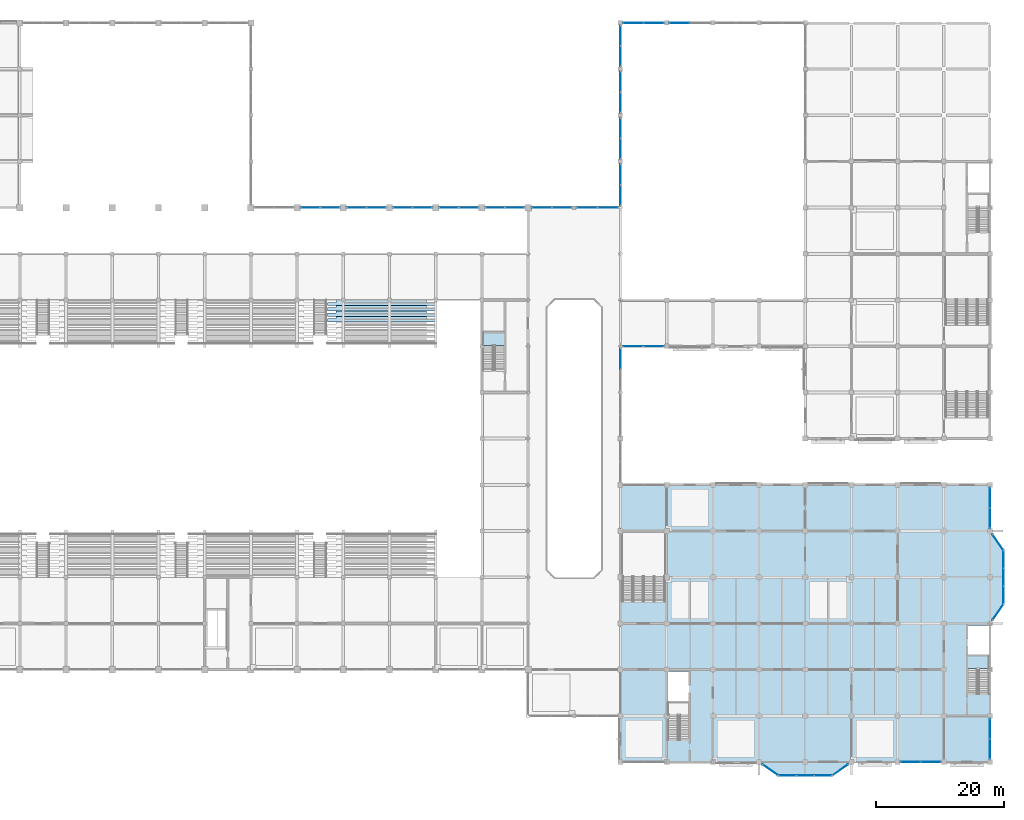
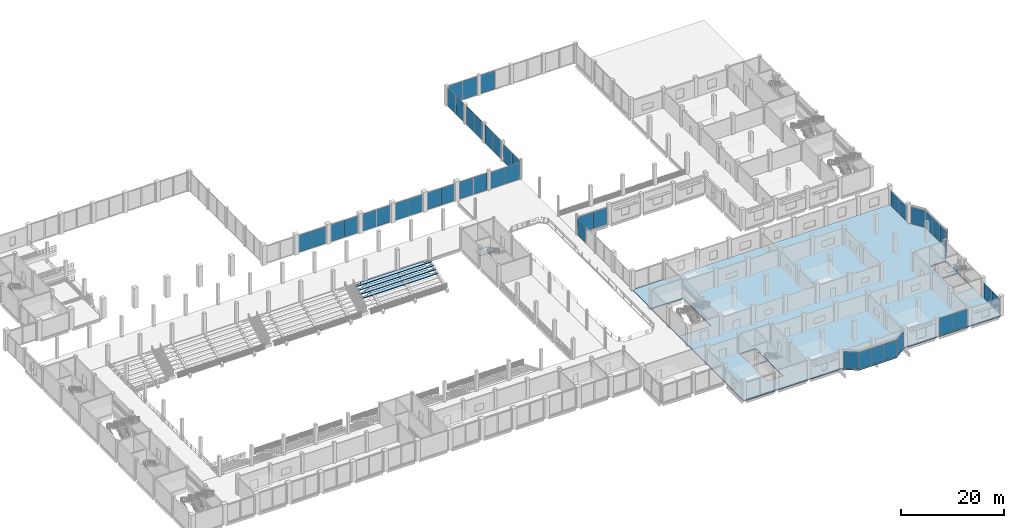
# One storey, part 58 of 99: 44 plates, 7 slabs, 26 elements without a shape of their own.
"""IFC4 building model written with IfcOpenShell, lengths in metres."""

import ifcopenshell
import ifcopenshell.guid

model = None  # the IFC model being written
_history = None  # IfcOwnerHistory: only IFC2X3 demands one
_inside = {}  # id of a spatial element -> (the spatial element, [elements in it])
_under = {}  # id of a project, library or spatial element -> (it, [spatial elements below it])
_declared = {}  # id of a project -> (the project, [libraries it declares])
_typed = {}  # id of a type object -> (the type object, [elements of that type])
_made_of = {}  # id of a material, layer set ... -> (it, [elements and type objects made of it])


def new_model(schema):
    """Start an empty IFC model of exactly this schema.

    Asked for "IFC4X3", IfcOpenShell would pick the latest addendum, in which some entities
    have other attributes; the version numbers below select the first issue.
    IFC2X3 requires an IfcOwnerHistory on every rooted entity: one is made here for all.
    """
    global model, _history
    if schema == "IFC4X3":
        model = ifcopenshell.file(schema_version=(4, 3, 0, 0))
    else:
        model = ifcopenshell.file(schema=schema)
    _inside.clear()
    _under.clear()
    _declared.clear()
    _typed.clear()
    _made_of.clear()
    _history = None
    if model.schema == "IFC2X3":
        org = make("IfcOrganization", Name="unknown")
        user = make(
            "IfcPersonAndOrganization",
            ThePerson=make("IfcPerson", FamilyName="unknown"),
            TheOrganization=org,
        )
        app = make(
            "IfcApplication",
            ApplicationDeveloper=org,
            Version="unknown",
            ApplicationFullName="unknown",
            ApplicationIdentifier="unknown",
        )
        _history = make(
            "IfcOwnerHistory",
            OwningUser=user,
            OwningApplication=app,
            ChangeAction="ADDED",
            CreationDate=0,
        )
    return model


def make(cls, **values):
    """One entity of the class cls with the attributes given. An attribute that is None is left unset."""
    return model.create_entity(
        cls, **{name: value for name, value in values.items() if value is not None}
    )


def rooted(cls, **values):
    """An entity with a GlobalId (a new one), such as an element, a storey or a relation."""
    return make(cls, GlobalId=ifcopenshell.guid.new(), OwnerHistory=_history, **values)


def si_unit(unit_type, name, prefix=None):
    """IfcSIUnit, for example si_unit("LENGTHUNIT", "METRE", prefix="MILLI")."""
    return make("IfcSIUnit", UnitType=unit_type, Prefix=prefix, Name=name)


def assignment(units):
    """IfcUnitAssignment: the units of a project."""
    return None if units is None else make("IfcUnitAssignment", Units=units)


def point(xyz):
    """IfcCartesianPoint."""
    return None if xyz is None else make("IfcCartesianPoint", Coordinates=xyz)


def direction(xyz):
    """IfcDirection."""
    return None if xyz is None else make("IfcDirection", DirectionRatios=xyz)


def frame(location, z_axis=None, x_axis=None):
    """IfcAxis2Placement3D, a coordinate frame: its origin and axes. An axis left out is left unset."""
    return make(
        "IfcAxis2Placement3D",
        Location=point(location),
        Axis=direction(z_axis),
        RefDirection=direction(x_axis),
    )


def frame_2d(location, x_axis=None):
    """IfcAxis2Placement2D, a coordinate frame in the plane: its origin and x axis."""
    return make(
        "IfcAxis2Placement2D", Location=point(location), RefDirection=direction(x_axis)
    )


def origin():
    """The frame at (0, 0, 0) with its axes left unset."""
    return frame((0.0, 0.0, 0.0))


def origin_2d():
    """The frame at (0, 0) in the plane with its x axis left unset."""
    return frame_2d((0.0, 0.0))


def place(relative_to, where):
    """IfcLocalPlacement: puts the frame where relative to a parent placement (None: the world)."""
    return make(
        "IfcLocalPlacement", PlacementRelTo=relative_to, RelativePlacement=where
    )


def context(
    kind, dimensions, precision=None, world=None, true_north=None, identifier=None
):
    """IfcGeometricRepresentationContext, for example the 3D "Model" context."""
    return make(
        "IfcGeometricRepresentationContext",
        ContextIdentifier=identifier,
        ContextType=kind,
        CoordinateSpaceDimension=dimensions,
        Precision=precision,
        WorldCoordinateSystem=world,
        TrueNorth=true_north,
    )


def subcontext(parent, identifier, kind, view, scale=None):
    """IfcGeometricRepresentationSubContext, for example "Body" below "Model"."""
    return make(
        "IfcGeometricRepresentationSubContext",
        ContextIdentifier=identifier,
        ContextType=kind,
        ParentContext=parent,
        TargetScale=scale,
        TargetView=view,
    )


def project(units=None, contexts=None):
    """IfcProject with its units and contexts."""
    return rooted(
        "IfcProject",
        Name="project",
        RepresentationContexts=contexts,
        UnitsInContext=assignment(units),
    )


def spatial(cls, under=None, at=None, **own):
    """A site, building, storey or space (cls), placed at a placement, below another one or the project."""
    s = rooted(cls, ObjectPlacement=at, **own)
    if under is not None:
        _under.setdefault(under.id(), (under, []))[1].append(s)
    return s


def polyline(points):
    """IfcPolyline through the points."""
    return make("IfcPolyline", Points=[point(p) for p in points])


def profile(cls, at=None, kind="AREA", **sizes):
    """A parametric profile (cls). Its sizes go by their IFC names, for example OverallWidth=200.0."""
    return make(cls, ProfileType=kind, Position=at, **sizes)


def rectangle(**sizes):
    """IfcRectangleProfileDef."""
    return profile("IfcRectangleProfileDef", **sizes)


def outline(outer, holes=None, kind="AREA"):
    """IfcArbitraryClosedProfileDef: a profile drawn as a closed curve; with holes, ...WithVoids."""
    if holes is None:
        return make("IfcArbitraryClosedProfileDef", ProfileType=kind, OuterCurve=outer)
    return make(
        "IfcArbitraryProfileDefWithVoids",
        ProfileType=kind,
        OuterCurve=outer,
        InnerCurves=holes,
    )


def extrude(swept, where, along, depth):
    """IfcExtrudedAreaSolid: the profile swept, set in the frame where, extruded along a direction by depth."""
    return make(
        "IfcExtrudedAreaSolid",
        SweptArea=swept,
        Position=where,
        ExtrudedDirection=direction(along),
        Depth=depth,
    )


def shape(context_of_items, identifier, shape_type, items):
    """IfcShapeRepresentation: the items that make up one representation, for example the "Body"."""
    return make(
        "IfcShapeRepresentation",
        ContextOfItems=context_of_items,
        RepresentationIdentifier=identifier,
        RepresentationType=shape_type,
        Items=items,
    )


def material(Name=None, Category=None):
    """IfcMaterial."""
    return make("IfcMaterial", Name=Name, Category=Category)


def layer(
    of_material, thickness, ventilated=None, Name=None, Category=None, Priority=None
):
    """IfcMaterialLayer: one layer of a wall or slab, of a material (None: an air gap)."""
    return make(
        "IfcMaterialLayer",
        Material=of_material,
        LayerThickness=thickness,
        IsVentilated=ventilated,
        Name=Name,
        Category=Category,
        Priority=Priority,
    )


def layer_set(layers, Name=None):
    """IfcMaterialLayerSet."""
    return make("IfcMaterialLayerSet", MaterialLayers=layers, LayerSetName=Name)


def made_of(thing, what):
    """Note that an element or type object is made of a material, layer set ...; save() writes the relation."""
    if what is not None:
        _made_of.setdefault(what.id(), (what, []))[1].append(thing)
    return thing


def type_object(cls, material=None, **own):
    """A type object (cls), such as IfcWallType, which elements share."""
    return made_of(rooted(cls, **own), material)


def element(
    cls,
    number,
    at=None,
    inside=None,
    cuts=None,
    type_object=None,
    material=None,
    context=None,
    identifier="Body",
    shape_type=None,
    held_by="IfcProductDefinitionShape",
    body=None,
    shapes=None,
    **own,
):
    """One element of the class cls, such as IfcWall. Its Tag is "e" and its number.

    at: its placement. inside: the storey or other place that contains it. cuts: it is an
    opening in that element (IfcRelVoidsElement). A single representation is given by context,
    identifier, shape_type and body (its items); several are given by shapes. held_by: the class
    of the entity that holds the representations. save() writes the other relations.
    """
    e = rooted(cls, Tag="e%d" % number, ObjectPlacement=at, **own)
    if body is not None:
        shapes = [shape(context, identifier, shape_type, body)]
    if shapes is not None:
        e.Representation = make(held_by, Representations=shapes)
    if inside is not None:
        _inside.setdefault(inside.id(), (inside, []))[1].append(e)
    if cuts is not None:
        rooted(
            "IfcRelVoidsElement", RelatingBuildingElement=cuts, RelatedOpeningElement=e
        )
    if type_object is not None:
        _typed.setdefault(type_object.id(), (type_object, []))[1].append(e)
    return made_of(e, material)


def aggregate(whole, parts):
    """IfcRelAggregates: a whole, such as a stair, and the parts it consists of."""
    return rooted("IfcRelAggregates", RelatingObject=whole, RelatedObjects=parts)


def save(model, path):
    """Write the relations noted so far, then the file.

    IfcRelAggregates (storeys below a building ...), IfcRelContainedInSpatialStructure (elements
    in a storey), IfcRelDefinesByType, IfcRelAssociatesMaterial and IfcRelDeclares: one each for
    every whole, place, type object, material and project.
    """
    for whole, parts in _under.values():
        aggregate(whole, parts)
    for where, things in _inside.values():
        rooted(
            "IfcRelContainedInSpatialStructure",
            RelatedElements=things,
            RelatingStructure=where,
        )
    for kind, things in _typed.values():
        rooted("IfcRelDefinesByType", RelatedObjects=things, RelatingType=kind)
    for what, things in _made_of.values():
        rooted("IfcRelAssociatesMaterial", RelatedObjects=things, RelatingMaterial=what)
    for by, libraries in _declared.values():
        rooted("IfcRelDeclares", RelatingContext=by, RelatedDefinitions=libraries)
    model.write(path)


model = new_model("IFC4")

# Units and contexts
model_context = context("Model", 3, precision=1e-05, world=origin(), true_north=direction((0.0, 1.0)))
body_context = subcontext(model_context, "Body", "Model", "MODEL_VIEW")
ifc_project = project(units=[si_unit("LENGTHUNIT", "METRE"), si_unit("AREAUNIT", "SQUARE_METRE"), si_unit("VOLUMEUNIT", "CUBIC_METRE"), si_unit("PLANEANGLEUNIT", "RADIAN"), si_unit("MASSUNIT", "GRAM", prefix="KILO")], contexts=[model_context])

# Site, building, storey
site_placement = place(None, origin())
site = spatial("IfcSite", under=ifc_project, at=site_placement, CompositionType="ELEMENT")
building_placement = place(site_placement, origin())
building = spatial("IfcBuilding", under=site, at=building_placement, Name="Vesperath Aquatics Centre", CompositionType="ELEMENT")
storey_placement = place(building_placement, frame((0.0, 0.0, 5.39990234375)))
storey = spatial("IfcBuildingStorey", under=building, at=storey_placement, Name="L01", CompositionType="ELEMENT", Elevation=5.39990234375)

# Curtain wall, plates
ifc_material_1 = material(Name="Thermally broken anodised bronze aluminium curtain wall", Category="aluminium")
curtain_wall_type_1 = type_object("IfcCurtainWallType", Name="CW-02", PredefinedType="NOTDEFINED", material=ifc_material_1)
curtain_wall_1_placement = place(storey_placement, origin())
curtain_wall_1 = element("IfcCurtainWall", 1, at=curtain_wall_1_placement, inside=storey, type_object=curtain_wall_type_1, Name="Facade Curtain Wall CW02 L01_S_22_00", PredefinedType="NOTDEFINED")
ifc_material_2 = material(Name="Triple low-E argon insulated vision glass", Category="glass")
ifc_layer_1 = layer(ifc_material_2, 0.035888671875)
ifc_layer_set_1 = layer_set([ifc_layer_1], Name="Triple low-E argon insulated vision glass")
plate_type_1 = type_object("IfcPlateType", Name="PT-CWP02", PredefinedType="CURTAIN_PANEL", material=ifc_layer_set_1)
plate_1_placement = place(storey_placement, frame((160.418701171875, 0.0, 0.0751953125), z_axis=(0.0, 0.0, 1.0), x_axis=(1.0, 0.0, 0.0)))
plate_1 = element("IfcPlate", 2, at=plate_1_placement, type_object=plate_type_1, Name="CW02 panel 1.1", PredefinedType="CURTAIN_PANEL", context=body_context, shape_type="SweptSolid", body=[
    extrude(rectangle(XDim=3.08740234375, YDim=0.035888671875, at=origin_2d()), origin(), (0.0, 0.0, 1.0), 4.0400390625),
])
plate_2_placement = place(storey_placement, frame((163.581298828125, 0.0, 0.0751953125), z_axis=(0.0, 0.0, 1.0), x_axis=(1.0, 0.0, 0.0)))
plate_2 = element("IfcPlate", 3, at=plate_2_placement, type_object=plate_type_1, Name="CW02 panel 2.1", PredefinedType="CURTAIN_PANEL", context=body_context, shape_type="SweptSolid", body=[
    extrude(rectangle(XDim=3.08740234375, YDim=0.035888671875, at=origin_2d()), origin(), (0.0, 0.0, 1.0), 4.0400390625),
])
aggregate(curtain_wall_1, [plate_1, plate_2])

curtain_wall_2_placement = place(storey_placement, origin())
curtain_wall_2 = element("IfcCurtainWall", 4, at=curtain_wall_2_placement, inside=storey, type_object=curtain_wall_type_1, Name="Facade Curtain Wall CW02 L01_N_09_12", PredefinedType="NOTDEFINED")
plate_3_placement = place(storey_placement, frame((66.86865234375, 86.39990234375, 0.0751953125), z_axis=(0.0, 0.0, 1.0), x_axis=(1.0, 0.0, 0.0)))
plate_3 = element("IfcPlate", 5, at=plate_3_placement, type_object=plate_type_1, Name="CW02 panel 1.1", PredefinedType="CURTAIN_PANEL", context=body_context, shape_type="SweptSolid", body=[
    extrude(rectangle(XDim=2.987548828125, YDim=0.035888671875, at=origin_2d()), origin(), (0.0, 0.0, 1.0), 4.0400390625),
])
plate_4_placement = place(storey_placement, frame((69.93115234375, 86.39990234375, 0.0751953125), z_axis=(0.0, 0.0, 1.0), x_axis=(1.0, 0.0, 0.0)))
plate_4 = element("IfcPlate", 6, at=plate_4_placement, type_object=plate_type_1, Name="CW02 panel 2.1", PredefinedType="CURTAIN_PANEL", context=body_context, shape_type="SweptSolid", body=[
    extrude(rectangle(XDim=2.987548828125, YDim=0.035888671875, at=origin_2d()), origin(), (0.0, 0.0, 1.0), 4.0400390625),
])
aggregate(curtain_wall_2, [plate_3, plate_4])

curtain_wall_3_placement = place(storey_placement, origin())
curtain_wall_3 = element("IfcCurtainWall", 7, at=curtain_wall_3_placement, inside=storey, type_object=curtain_wall_type_1, Name="Facade Curtain Wall CW02 L01_N_10_12", PredefinedType="NOTDEFINED")
plate_5_placement = place(storey_placement, frame((74.06884765625, 86.39990234375, 0.0751953125), z_axis=(0.0, 0.0, 1.0), x_axis=(1.0, 0.0, 0.0)))
plate_5 = element("IfcPlate", 8, at=plate_5_placement, type_object=plate_type_1, Name="CW02 panel 1.1", PredefinedType="CURTAIN_PANEL", context=body_context, shape_type="SweptSolid", body=[
    extrude(rectangle(XDim=2.987548828125, YDim=0.035888671875, at=origin_2d()), origin(), (0.0, 0.0, 1.0), 4.0400390625),
])
plate_6_placement = place(storey_placement, frame((77.13134765625, 86.39990234375, 0.0751953125), z_axis=(0.0, 0.0, 1.0), x_axis=(1.0, 0.0, 0.0)))
plate_6 = element("IfcPlate", 9, at=plate_6_placement, type_object=plate_type_1, Name="CW02 panel 2.1", PredefinedType="CURTAIN_PANEL", context=body_context, shape_type="SweptSolid", body=[
    extrude(rectangle(XDim=2.987548828125, YDim=0.035888671875, at=origin_2d()), origin(), (0.0, 0.0, 1.0), 4.0400390625),
])
aggregate(curtain_wall_3, [plate_5, plate_6])

curtain_wall_4_placement = place(storey_placement, origin())
curtain_wall_4 = element("IfcCurtainWall", 10, at=curtain_wall_4_placement, inside=storey, type_object=curtain_wall_type_1, Name="Facade Curtain Wall CW02 L01_N_11_12", PredefinedType="NOTDEFINED")
plate_7_placement = place(storey_placement, frame((81.268798828125, 86.39990234375, 0.0751953125), z_axis=(0.0, 0.0, 1.0), x_axis=(1.0, 0.0, 0.0)))
plate_7 = element("IfcPlate", 11, at=plate_7_placement, type_object=plate_type_1, Name="CW02 panel 1.1", PredefinedType="CURTAIN_PANEL", context=body_context, shape_type="SweptSolid", body=[
    extrude(rectangle(XDim=2.987548828125, YDim=0.035888671875, at=origin_2d()), origin(), (0.0, 0.0, 1.0), 4.0400390625),
])
plate_8_placement = place(storey_placement, frame((84.331298828125, 86.39990234375, 0.0751953125), z_axis=(0.0, 0.0, 1.0), x_axis=(1.0, 0.0, 0.0)))
plate_8 = element("IfcPlate", 12, at=plate_8_placement, type_object=plate_type_1, Name="CW02 panel 2.1", PredefinedType="CURTAIN_PANEL", context=body_context, shape_type="SweptSolid", body=[
    extrude(rectangle(XDim=2.987548828125, YDim=0.035888671875, at=origin_2d()), origin(), (0.0, 0.0, 1.0), 4.0400390625),
])
aggregate(curtain_wall_4, [plate_7, plate_8])

curtain_wall_5_placement = place(storey_placement, origin())
curtain_wall_5 = element("IfcCurtainWall", 13, at=curtain_wall_5_placement, inside=storey, type_object=curtain_wall_type_1, Name="Facade Curtain Wall CW02 L01_N_12_12", PredefinedType="NOTDEFINED")
plate_9_placement = place(storey_placement, frame((88.46875, 86.39990234375, 0.0751953125), z_axis=(0.0, 0.0, 1.0), x_axis=(1.0, 0.0, 0.0)))
plate_9 = element("IfcPlate", 14, at=plate_9_placement, type_object=plate_type_1, Name="CW02 panel 1.1", PredefinedType="CURTAIN_PANEL", context=body_context, shape_type="SweptSolid", body=[
    extrude(rectangle(XDim=2.987548828125, YDim=0.035888671875, at=origin_2d()), origin(), (0.0, 0.0, 1.0), 4.0400390625),
])
plate_10_placement = place(storey_placement, frame((91.53125, 86.39990234375, 0.0751953125), z_axis=(0.0, 0.0, 1.0), x_axis=(1.0, 0.0, 0.0)))
plate_10 = element("IfcPlate", 15, at=plate_10_placement, type_object=plate_type_1, Name="CW02 panel 2.1", PredefinedType="CURTAIN_PANEL", context=body_context, shape_type="SweptSolid", body=[
    extrude(rectangle(XDim=2.987548828125, YDim=0.035888671875, at=origin_2d()), origin(), (0.0, 0.0, 1.0), 4.0400390625),
])
aggregate(curtain_wall_5, [plate_9, plate_10])

curtain_wall_6_placement = place(storey_placement, origin())
curtain_wall_6 = element("IfcCurtainWall", 16, at=curtain_wall_6_placement, inside=storey, type_object=curtain_wall_type_1, Name="Facade Curtain Wall CW02 L01_N_13_12", PredefinedType="NOTDEFINED")
plate_11_placement = place(storey_placement, frame((95.668701171875, 86.39990234375, 0.0751953125), z_axis=(0.0, 0.0, 1.0), x_axis=(1.0, 0.0, 0.0)))
plate_11 = element("IfcPlate", 17, at=plate_11_placement, type_object=plate_type_1, Name="CW02 panel 1.1", PredefinedType="CURTAIN_PANEL", context=body_context, shape_type="SweptSolid", body=[
    extrude(rectangle(XDim=2.987548828125, YDim=0.035888671875, at=origin_2d()), origin(), (0.0, 0.0, 1.0), 4.0400390625),
])
plate_12_placement = place(storey_placement, frame((98.731201171875, 86.39990234375, 0.0751953125), z_axis=(0.0, 0.0, 1.0), x_axis=(1.0, 0.0, 0.0)))
plate_12 = element("IfcPlate", 18, at=plate_12_placement, type_object=plate_type_1, Name="CW02 panel 2.1", PredefinedType="CURTAIN_PANEL", context=body_context, shape_type="SweptSolid", body=[
    extrude(rectangle(XDim=2.987548828125, YDim=0.035888671875, at=origin_2d()), origin(), (0.0, 0.0, 1.0), 4.0400390625),
])
aggregate(curtain_wall_6, [plate_11, plate_12])

curtain_wall_7_placement = place(storey_placement, origin())
curtain_wall_7 = element("IfcCurtainWall", 19, at=curtain_wall_7_placement, inside=storey, type_object=curtain_wall_type_1, Name="Facade Curtain Wall CW02 L01_E_24_00", PredefinedType="NOTDEFINED")
plate_13_placement = place(storey_placement, frame((172.800048828125, 2.018798828125, 0.0751953125), z_axis=(0.0, 0.0, 1.0), x_axis=(0.0, 1.0, 0.0)))
plate_13 = element("IfcPlate", 20, at=plate_13_placement, type_object=plate_type_1, Name="CW02 panel 1.1", PredefinedType="CURTAIN_PANEL", context=body_context, shape_type="SweptSolid", body=[
    extrude(rectangle(XDim=3.08740234375, YDim=0.035888671875, at=origin_2d()), origin(), (0.0, 0.0, 1.0), 3.489990234375),
])
plate_14_placement = place(storey_placement, frame((172.800048828125, 5.18115234375, 0.0751953125), z_axis=(0.0, 0.0, 1.0), x_axis=(0.0, 1.0, 0.0)))
plate_14 = element("IfcPlate", 21, at=plate_14_placement, type_object=plate_type_1, Name="CW02 panel 2.1", PredefinedType="CURTAIN_PANEL", context=body_context, shape_type="SweptSolid", body=[
    extrude(rectangle(XDim=3.08740234375, YDim=0.035888671875, at=origin_2d()), origin(), (0.0, 0.0, 1.0), 3.489990234375),
])
aggregate(curtain_wall_7, [plate_13, plate_14])

curtain_wall_8_placement = place(storey_placement, origin())
curtain_wall_8 = element("IfcCurtainWall", 22, at=curtain_wall_8_placement, inside=storey, type_object=curtain_wall_type_1, Name="Facade Curtain Wall CW02 L01_E_24_05", PredefinedType="NOTDEFINED")
plate_15_placement = place(storey_placement, frame((172.800048828125, 38.018798828125, 0.0751953125), z_axis=(0.0, 0.0, 1.0), x_axis=(0.0, 1.0, 0.0)))
plate_15 = element("IfcPlate", 23, at=plate_15_placement, type_object=plate_type_1, Name="CW02 panel 1.1", PredefinedType="CURTAIN_PANEL", context=body_context, shape_type="SweptSolid", body=[
    extrude(rectangle(XDim=3.08740234375, YDim=0.035888671875, at=origin_2d()), origin(), (0.0, 0.0, 1.0), 3.489990234375),
])
plate_16_placement = place(storey_placement, frame((172.800048828125, 41.18115234375, 0.0751953125), z_axis=(0.0, 0.0, 1.0), x_axis=(0.0, 1.0, 0.0)))
plate_16 = element("IfcPlate", 24, at=plate_16_placement, type_object=plate_type_1, Name="CW02 panel 2.1", PredefinedType="CURTAIN_PANEL", context=body_context, shape_type="SweptSolid", body=[
    extrude(rectangle(XDim=3.08740234375, YDim=0.035888671875, at=origin_2d()), origin(), (0.0, 0.0, 1.0), 3.489990234375),
])
aggregate(curtain_wall_8, [plate_15, plate_16])

# Curtain wall, plate
curtain_wall_9_placement = place(storey_placement, origin())
curtain_wall_9 = element("IfcCurtainWall", 25, at=curtain_wall_9_placement, inside=storey, type_object=curtain_wall_type_1, Name="South Boulevard Bow Oriel Curtain Wall L01-W", PredefinedType="NOTDEFINED")
plate_17_placement = place(storey_placement, frame((138.5400390625, -1.218017578125, 0.0703125), z_axis=(0.0, 0.0, 1.0), x_axis=(0.819231920515, -0.57346234437, 0.0)))
plate_17 = element("IfcPlate", 26, at=plate_17_placement, type_object=plate_type_1, Name="CW02 panel 1.1", PredefinedType="CURTAIN_PANEL", context=body_context, shape_type="SweptSolid", body=[
    extrude(rectangle(XDim=2.93603515625, YDim=0.035888671875, at=origin_2d()), origin(), (0.0, 0.0, 1.0), 3.969970703125),
])
aggregate(curtain_wall_9, [plate_17])

# Curtain wall, plates
curtain_wall_10_placement = place(storey_placement, origin())
curtain_wall_10 = element("IfcCurtainWall", 27, at=curtain_wall_10_placement, inside=storey, type_object=curtain_wall_type_1, Name="South Boulevard Bow Oriel Curtain Wall L01-C", PredefinedType="NOTDEFINED")
plate_18_placement = place(storey_placement, frame((141.217529296875, -2.10009765625, 0.0703125), z_axis=(0.0, 0.0, 1.0), x_axis=(1.0, 0.0, 0.0)))
plate_18 = element("IfcPlate", 28, at=plate_18_placement, type_object=plate_type_1, Name="CW02 panel 1.1", PredefinedType="CURTAIN_PANEL", context=body_context, shape_type="SweptSolid", body=[
    extrude(rectangle(XDim=2.695068359375, YDim=0.035888671875, at=origin_2d()), origin(), (0.0, 0.0, 1.0), 3.969970703125),
])
plate_19_placement = place(storey_placement, frame((144.0, -2.10009765625, 0.0703125), z_axis=(0.0, 0.0, 1.0), x_axis=(1.0, 0.0, 0.0)))
plate_19 = element("IfcPlate", 29, at=plate_19_placement, type_object=plate_type_1, Name="CW02 panel 2.1", PredefinedType="CURTAIN_PANEL", context=body_context, shape_type="SweptSolid", body=[
    extrude(rectangle(XDim=2.72998046875, YDim=0.035888671875, at=origin_2d()), origin(), (0.0, 0.0, 1.0), 3.969970703125),
])
plate_20_placement = place(storey_placement, frame((146.782470703125, -2.10009765625, 0.0703125), z_axis=(0.0, 0.0, 1.0), x_axis=(1.0, 0.0, 0.0)))
plate_20 = element("IfcPlate", 30, at=plate_20_placement, type_object=plate_type_1, Name="CW02 panel 3.1", PredefinedType="CURTAIN_PANEL", context=body_context, shape_type="SweptSolid", body=[
    extrude(rectangle(XDim=2.695068359375, YDim=0.035888671875, at=origin_2d()), origin(), (0.0, 0.0, 1.0), 3.969970703125),
])
aggregate(curtain_wall_10, [plate_18, plate_19, plate_20])

# Curtain wall, plate
curtain_wall_11_placement = place(storey_placement, origin())
curtain_wall_11 = element("IfcCurtainWall", 31, at=curtain_wall_11_placement, inside=storey, type_object=curtain_wall_type_1, Name="South Boulevard Bow Oriel Curtain Wall L01-E", PredefinedType="NOTDEFINED")
plate_21_placement = place(storey_placement, frame((149.4599609375, -1.218017578125, 0.0703125), z_axis=(0.0, 0.0, 1.0), x_axis=(0.819231920515, 0.57346234437, 0.0)))
plate_21 = element("IfcPlate", 32, at=plate_21_placement, type_object=plate_type_1, Name="CW02 panel 1.1", PredefinedType="CURTAIN_PANEL", context=body_context, shape_type="SweptSolid", body=[
    extrude(rectangle(XDim=2.93603515625, YDim=0.035888671875, at=origin_2d()), origin(), (0.0, 0.0, 1.0), 3.969970703125),
])
aggregate(curtain_wall_11, [plate_21])

# Curtain wall, plates
curtain_wall_type_2 = type_object("IfcCurtainWallType", Name="CW-06", PredefinedType="NOTDEFINED", material=ifc_material_1)
curtain_wall_12_placement = place(storey_placement, origin())
curtain_wall_12 = element("IfcCurtainWall", 33, at=curtain_wall_12_placement, inside=storey, type_object=curtain_wall_type_2, Name="Facade Curtain Wall CW06 L01_S_16_09", PredefinedType="NOTDEFINED")
ifc_layer_2 = layer(ifc_material_2, 0.035888671875)
ifc_layer_set_2 = layer_set([ifc_layer_2], Name="Triple low-E argon insulated vision glass")
plate_type_2 = type_object("IfcPlateType", Name="PT-CWP05", PredefinedType="CURTAIN_PANEL", material=ifc_layer_set_2)
plate_22_placement = place(storey_placement, frame((117.121826171875, 64.800048828125, 0.0751953125), z_axis=(0.0, 0.0, 1.0), x_axis=(1.0, 0.0, 0.0)))
plate_22 = element("IfcPlate", 34, at=plate_22_placement, type_object=plate_type_2, Name="CW06 panel 1.1", PredefinedType="CURTAIN_PANEL", context=body_context, shape_type="SweptSolid", body=[
    extrude(rectangle(XDim=3.185546875, YDim=0.035888671875, at=origin_2d()), origin(), (0.0, 0.0, 1.0), 3.902099609375),
])
plate_23_placement = place(storey_placement, frame((120.38232421875, 64.800048828125, 0.0751953125), z_axis=(0.0, 0.0, 1.0), x_axis=(1.0, 0.0, 0.0)))
plate_23 = element("IfcPlate", 35, at=plate_23_placement, type_object=plate_type_2, Name="CW06 panel 2.1", PredefinedType="CURTAIN_PANEL", context=body_context, shape_type="SweptSolid", body=[
    extrude(rectangle(XDim=3.185546875, YDim=0.035888671875, at=origin_2d()), origin(), (0.0, 0.0, 1.0), 3.902099609375),
])
aggregate(curtain_wall_12, [plate_22, plate_23])

curtain_wall_13_placement = place(storey_placement, origin())
curtain_wall_13 = element("IfcCurtainWall", 36, at=curtain_wall_13_placement, inside=storey, type_object=curtain_wall_type_2, Name="Facade Curtain Wall CW06 L01_N_14_12", PredefinedType="NOTDEFINED")
plate_24_placement = place(storey_placement, frame((102.918701171875, 86.39990234375, 0.0751953125), z_axis=(0.0, 0.0, 1.0), x_axis=(1.0, 0.0, 0.0)))
plate_24 = element("IfcPlate", 37, at=plate_24_placement, type_object=plate_type_2, Name="CW06 panel 1.1", PredefinedType="CURTAIN_PANEL", context=body_context, shape_type="SweptSolid", body=[
    extrude(rectangle(XDim=3.08740234375, YDim=0.035888671875, at=origin_2d()), origin(), (0.0, 0.0, 1.0), 4.0400390625),
])
plate_25_placement = place(storey_placement, frame((106.081298828125, 86.39990234375, 0.0751953125), z_axis=(0.0, 0.0, 1.0), x_axis=(1.0, 0.0, 0.0)))
plate_25 = element("IfcPlate", 38, at=plate_25_placement, type_object=plate_type_2, Name="CW06 panel 2.1", PredefinedType="CURTAIN_PANEL", context=body_context, shape_type="SweptSolid", body=[
    extrude(rectangle(XDim=3.08740234375, YDim=0.035888671875, at=origin_2d()), origin(), (0.0, 0.0, 1.0), 4.0400390625),
])
aggregate(curtain_wall_13, [plate_24, plate_25])

curtain_wall_14_placement = place(storey_placement, origin())
curtain_wall_14 = element("IfcCurtainWall", 39, at=curtain_wall_14_placement, inside=storey, type_object=curtain_wall_type_2, Name="Facade Curtain Wall CW06 L01_N_15_12", PredefinedType="NOTDEFINED")
plate_26_placement = place(storey_placement, frame((109.980224609375, 86.39990234375, 0.0751953125), z_axis=(0.0, 0.0, 1.0), x_axis=(1.0, 0.0, 0.0)))
plate_26 = element("IfcPlate", 40, at=plate_26_placement, type_object=plate_type_2, Name="CW06 panel 1.1", PredefinedType="CURTAIN_PANEL", context=body_context, shape_type="SweptSolid", body=[
    extrude(rectangle(XDim=3.21044921875, YDim=0.035888671875, at=origin_2d()), origin(), (0.0, 0.0, 1.0), 3.902099609375),
])
plate_27_placement = place(storey_placement, frame((113.265869140625, 86.39990234375, 0.0751953125), z_axis=(0.0, 0.0, 1.0), x_axis=(1.0, 0.0, 0.0)))
plate_27 = element("IfcPlate", 41, at=plate_27_placement, type_object=plate_type_2, Name="CW06 panel 2.1", PredefinedType="CURTAIN_PANEL", context=body_context, shape_type="SweptSolid", body=[
    extrude(rectangle(XDim=3.21044921875, YDim=0.035888671875, at=origin_2d()), origin(), (0.0, 0.0, 1.0), 3.902099609375),
])
aggregate(curtain_wall_14, [plate_26, plate_27])

curtain_wall_15_placement = place(storey_placement, origin())
curtain_wall_15 = element("IfcCurtainWall", 42, at=curtain_wall_15_placement, inside=storey, type_object=curtain_wall_type_2, Name="Facade Curtain Wall CW06 L01_N_16_16", PredefinedType="NOTDEFINED")
plate_28_placement = place(storey_placement, frame((117.19384765625, 115.199951171875, 0.0751953125), z_axis=(0.0, 0.0, 1.0), x_axis=(1.0, 0.0, 0.0)))
plate_28 = element("IfcPlate", 43, at=plate_28_placement, type_object=plate_type_2, Name="CW06 panel 1.1", PredefinedType="CURTAIN_PANEL", context=body_context, shape_type="SweptSolid", body=[
    extrude(rectangle(XDim=3.137451171875, YDim=0.035888671875, at=origin_2d()), origin(), (0.0, 0.0, 1.0), 4.389892578125),
])
plate_29_placement = place(storey_placement, frame((120.40625, 115.199951171875, 0.0751953125), z_axis=(0.0, 0.0, 1.0), x_axis=(1.0, 0.0, 0.0)))
plate_29 = element("IfcPlate", 44, at=plate_29_placement, type_object=plate_type_2, Name="CW06 panel 2.1", PredefinedType="CURTAIN_PANEL", context=body_context, shape_type="SweptSolid", body=[
    extrude(rectangle(XDim=3.137451171875, YDim=0.035888671875, at=origin_2d()), origin(), (0.0, 0.0, 1.0), 4.389892578125),
])
aggregate(curtain_wall_15, [plate_28, plate_29])

# Curtain wall, plate
curtain_wall_16_placement = place(storey_placement, origin())
curtain_wall_16 = element("IfcCurtainWall", 45, at=curtain_wall_16_placement, inside=storey, type_object=curtain_wall_type_2, Name="Facade Curtain Wall CW06 L01_N_17_16", PredefinedType="NOTDEFINED")
plate_30_placement = place(storey_placement, frame((124.393798828125, 115.199951171875, 0.0751953125), z_axis=(0.0, 0.0, 1.0), x_axis=(1.0, 0.0, 0.0)))
plate_30 = element("IfcPlate", 46, at=plate_30_placement, type_object=plate_type_2, Name="CW06 panel 1.1", PredefinedType="CURTAIN_PANEL", context=body_context, shape_type="SweptSolid", body=[
    extrude(rectangle(XDim=3.137451171875, YDim=0.035888671875, at=origin_2d()), origin(), (0.0, 0.0, 1.0), 4.389892578125),
])
aggregate(curtain_wall_16, [plate_30])

curtain_wall_17_placement = place(storey_placement, origin())
curtain_wall_17 = element("IfcCurtainWall", 47, at=curtain_wall_17_placement, inside=storey, type_object=curtain_wall_type_2, Name="Facade Curtain Wall CW06 L01_E_16_08", PredefinedType="NOTDEFINED")
plate_31_placement = place(storey_placement, frame((115.199951171875, 62.854248046875, 0.0751953125), z_axis=(0.0, 0.0, 1.0), x_axis=(0.0, 1.0, 0.0)))
plate_31 = element("IfcPlate", 48, at=plate_31_placement, type_object=plate_type_2, Name="CW06 panel 2.1", PredefinedType="CURTAIN_PANEL", context=body_context, shape_type="SweptSolid", body=[
    extrude(rectangle(XDim=3.2333984375, YDim=0.035888671875, at=origin_2d()), origin(), (0.0, 0.0, 1.0), 3.902099609375),
])
aggregate(curtain_wall_17, [plate_31])

# Curtain wall, plates
curtain_wall_18_placement = place(storey_placement, origin())
curtain_wall_18 = element("IfcCurtainWall", 49, at=curtain_wall_18_placement, inside=storey, type_object=curtain_wall_type_2, Name="Facade Curtain Wall CW06 L01_W_16_12", PredefinedType="NOTDEFINED")
plate_32_placement = place(storey_placement, frame((115.199951171875, 88.32177734375, 0.0751953125), z_axis=(0.0, 0.0, 1.0), x_axis=(0.0, 1.0, 0.0)))
plate_32 = element("IfcPlate", 50, at=plate_32_placement, type_object=plate_type_2, Name="CW06 panel 1.1", PredefinedType="CURTAIN_PANEL", context=body_context, shape_type="SweptSolid", body=[
    extrude(rectangle(XDim=3.185546875, YDim=0.035888671875, at=origin_2d()), origin(), (0.0, 0.0, 1.0), 4.0400390625),
])
plate_33_placement = place(storey_placement, frame((115.199951171875, 91.582275390625, 0.0751953125), z_axis=(0.0, 0.0, 1.0), x_axis=(0.0, 1.0, 0.0)))
plate_33 = element("IfcPlate", 51, at=plate_33_placement, type_object=plate_type_2, Name="CW06 panel 2.1", PredefinedType="CURTAIN_PANEL", context=body_context, shape_type="SweptSolid", body=[
    extrude(rectangle(XDim=3.185546875, YDim=0.035888671875, at=origin_2d()), origin(), (0.0, 0.0, 1.0), 4.0400390625),
])
aggregate(curtain_wall_18, [plate_32, plate_33])

curtain_wall_19_placement = place(storey_placement, origin())
curtain_wall_19 = element("IfcCurtainWall", 52, at=curtain_wall_19_placement, inside=storey, type_object=curtain_wall_type_2, Name="Facade Curtain Wall CW06 L01_W_16_13", PredefinedType="NOTDEFINED")
plate_34_placement = place(storey_placement, frame((115.199951171875, 95.59375, 0.0751953125), z_axis=(0.0, 0.0, 1.0), x_axis=(0.0, 1.0, 0.0)))
plate_34 = element("IfcPlate", 53, at=plate_34_placement, type_object=plate_type_2, Name="CW06 panel 1.1", PredefinedType="CURTAIN_PANEL", context=body_context, shape_type="SweptSolid", body=[
    extrude(rectangle(XDim=3.137451171875, YDim=0.035888671875, at=origin_2d()), origin(), (0.0, 0.0, 1.0), 4.389892578125),
])
plate_35_placement = place(storey_placement, frame((115.199951171875, 98.80615234375, 0.0751953125), z_axis=(0.0, 0.0, 1.0), x_axis=(0.0, 1.0, 0.0)))
plate_35 = element("IfcPlate", 54, at=plate_35_placement, type_object=plate_type_2, Name="CW06 panel 2.1", PredefinedType="CURTAIN_PANEL", context=body_context, shape_type="SweptSolid", body=[
    extrude(rectangle(XDim=3.137451171875, YDim=0.035888671875, at=origin_2d()), origin(), (0.0, 0.0, 1.0), 4.389892578125),
])
aggregate(curtain_wall_19, [plate_34, plate_35])

curtain_wall_20_placement = place(storey_placement, origin())
curtain_wall_20 = element("IfcCurtainWall", 55, at=curtain_wall_20_placement, inside=storey, type_object=curtain_wall_type_2, Name="Facade Curtain Wall CW06 L01_W_16_14", PredefinedType="NOTDEFINED")
plate_36_placement = place(storey_placement, frame((115.199951171875, 102.793701171875, 0.0751953125), z_axis=(0.0, 0.0, 1.0), x_axis=(0.0, 1.0, 0.0)))
plate_36 = element("IfcPlate", 56, at=plate_36_placement, type_object=plate_type_2, Name="CW06 panel 1.1", PredefinedType="CURTAIN_PANEL", context=body_context, shape_type="SweptSolid", body=[
    extrude(rectangle(XDim=3.137451171875, YDim=0.035888671875, at=origin_2d()), origin(), (0.0, 0.0, 1.0), 4.389892578125),
])
plate_37_placement = place(storey_placement, frame((115.199951171875, 106.00634765625, 0.0751953125), z_axis=(0.0, 0.0, 1.0), x_axis=(0.0, 1.0, 0.0)))
plate_37 = element("IfcPlate", 57, at=plate_37_placement, type_object=plate_type_2, Name="CW06 panel 2.1", PredefinedType="CURTAIN_PANEL", context=body_context, shape_type="SweptSolid", body=[
    extrude(rectangle(XDim=3.137451171875, YDim=0.035888671875, at=origin_2d()), origin(), (0.0, 0.0, 1.0), 4.389892578125),
])
aggregate(curtain_wall_20, [plate_36, plate_37])

curtain_wall_21_placement = place(storey_placement, origin())
curtain_wall_21 = element("IfcCurtainWall", 58, at=curtain_wall_21_placement, inside=storey, type_object=curtain_wall_type_2, Name="Facade Curtain Wall CW06 L01_W_16_15", PredefinedType="NOTDEFINED")
plate_38_placement = place(storey_placement, frame((115.199951171875, 109.99365234375, 0.0751953125), z_axis=(0.0, 0.0, 1.0), x_axis=(0.0, 1.0, 0.0)))
plate_38 = element("IfcPlate", 59, at=plate_38_placement, type_object=plate_type_2, Name="CW06 panel 1.1", PredefinedType="CURTAIN_PANEL", context=body_context, shape_type="SweptSolid", body=[
    extrude(rectangle(XDim=3.137451171875, YDim=0.035888671875, at=origin_2d()), origin(), (0.0, 0.0, 1.0), 4.389892578125),
])
plate_39_placement = place(storey_placement, frame((115.199951171875, 113.206298828125, 0.0751953125), z_axis=(0.0, 0.0, 1.0), x_axis=(0.0, 1.0, 0.0)))
plate_39 = element("IfcPlate", 60, at=plate_39_placement, type_object=plate_type_2, Name="CW06 panel 2.1", PredefinedType="CURTAIN_PANEL", context=body_context, shape_type="SweptSolid", body=[
    extrude(rectangle(XDim=3.137451171875, YDim=0.035888671875, at=origin_2d()), origin(), (0.0, 0.0, 1.0), 4.389892578125),
])
aggregate(curtain_wall_21, [plate_38, plate_39])

# Curtain wall, plate
curtain_wall_22_placement = place(storey_placement, origin())
curtain_wall_22 = element("IfcCurtainWall", 61, at=curtain_wall_22_placement, inside=storey, type_object=curtain_wall_type_2, Name="East Avenue Bow Oriel Curtain Wall L01-S", PredefinedType="NOTDEFINED")
plate_40_placement = place(storey_placement, frame((174.01806640625, 23.340087890625, 0.0703125), z_axis=(0.0, 0.0, 1.0), x_axis=(0.57346234437, 0.819231920515, 0.0)))
plate_40 = element("IfcPlate", 62, at=plate_40_placement, type_object=plate_type_2, Name="CW06 panel 1.1", PredefinedType="CURTAIN_PANEL", context=body_context, shape_type="SweptSolid", body=[
    extrude(rectangle(XDim=2.93603515625, YDim=0.035888671875, at=origin_2d()), origin(), (0.0, 0.0, 1.0), 3.969970703125),
])
aggregate(curtain_wall_22, [plate_40])

# Curtain wall, plates
curtain_wall_23_placement = place(storey_placement, origin())
curtain_wall_23 = element("IfcCurtainWall", 63, at=curtain_wall_23_placement, inside=storey, type_object=curtain_wall_type_2, Name="East Avenue Bow Oriel Curtain Wall L01-C", PredefinedType="NOTDEFINED")
plate_41_placement = place(storey_placement, frame((174.89990234375, 26.017578125, 0.0703125), z_axis=(0.0, 0.0, 1.0), x_axis=(0.0, 1.0, 0.0)))
plate_41 = element("IfcPlate", 64, at=plate_41_placement, type_object=plate_type_2, Name="CW06 panel 1.1", PredefinedType="CURTAIN_PANEL", context=body_context, shape_type="SweptSolid", body=[
    extrude(rectangle(XDim=2.695068359375, YDim=0.035888671875, at=origin_2d()), origin(), (0.0, 0.0, 1.0), 3.969970703125),
])
plate_42_placement = place(storey_placement, frame((174.89990234375, 28.800048828125, 0.0703125), z_axis=(0.0, 0.0, 1.0), x_axis=(0.0, 1.0, 0.0)))
plate_42 = element("IfcPlate", 65, at=plate_42_placement, type_object=plate_type_2, Name="CW06 panel 2.1", PredefinedType="CURTAIN_PANEL", context=body_context, shape_type="SweptSolid", body=[
    extrude(rectangle(XDim=2.72998046875, YDim=0.035888671875, at=origin_2d()), origin(), (0.0, 0.0, 1.0), 3.969970703125),
])
plate_43_placement = place(storey_placement, frame((174.89990234375, 31.58251953125, 0.0703125), z_axis=(0.0, 0.0, 1.0), x_axis=(0.0, 1.0, 0.0)))
plate_43 = element("IfcPlate", 66, at=plate_43_placement, type_object=plate_type_2, Name="CW06 panel 3.1", PredefinedType="CURTAIN_PANEL", context=body_context, shape_type="SweptSolid", body=[
    extrude(rectangle(XDim=2.695068359375, YDim=0.035888671875, at=origin_2d()), origin(), (0.0, 0.0, 1.0), 3.969970703125),
])
aggregate(curtain_wall_23, [plate_41, plate_42, plate_43])

# Curtain wall, plate
curtain_wall_24_placement = place(storey_placement, origin())
curtain_wall_24 = element("IfcCurtainWall", 67, at=curtain_wall_24_placement, inside=storey, type_object=curtain_wall_type_2, Name="East Avenue Bow Oriel Curtain Wall L01-N", PredefinedType="NOTDEFINED")
plate_44_placement = place(storey_placement, frame((174.01806640625, 34.260009765625, 0.0703125), z_axis=(0.0, 0.0, 1.0), x_axis=(-0.57346234437, 0.819231920515, 0.0)))
plate_44 = element("IfcPlate", 68, at=plate_44_placement, type_object=plate_type_2, Name="CW06 panel 1.1", PredefinedType="CURTAIN_PANEL", context=body_context, shape_type="SweptSolid", body=[
    extrude(rectangle(XDim=2.93603515625, YDim=0.035888671875, at=origin_2d()), origin(), (0.0, 0.0, 1.0), 3.969970703125),
])
aggregate(curtain_wall_24, [plate_44])

# Slab
ifc_material_3 = material(Name="Concrete C35", Category="concrete")
ifc_layer_3 = layer(ifc_material_3, 0.260009765625)
ifc_layer_set_3 = layer_set([ifc_layer_3], Name="Concrete C35")
slab_type_1 = type_object("IfcSlabType", Name="SL-FL02", PredefinedType="FLOOR", material=ifc_layer_set_3)
slab_1_placement = place(storey_placement, frame((0.0, 0.0, -0.260009765625)))
element("IfcSlab", 69, at=slab_1_placement, inside=storey, type_object=slab_type_1, Name="Hydrotherapy Clinic Floor Slab SL02 L01", PredefinedType="FLOOR", context=body_context, shape_type="SweptSolid", body=[
    extrude(outline(polyline([(115.199951171875, 0.0), (136.800048828125, 0.0), (139.800048828125, -2.10009765625), (148.199951171875, -2.10009765625), (151.199951171875, 0.0), (172.800048828125, 0.0), (172.800048828125, 21.60009765625), (174.89990234375, 24.60009765625), (174.89990234375, 33.0), (172.800048828125, 36.0), (172.800048828125, 43.199951171875), (115.199951171875, 43.199951171875), (115.199951171875, 0.0)]), holes=[polyline([(122.47998046875, 3.449951171875), (125.93994140625, 3.449951171875), (125.93994140625, 9.360107421875), (122.47998046875, 9.360107421875), (122.47998046875, 3.449951171875)]), polyline([(122.47998046875, 9.5400390625), (125.93994140625, 9.5400390625), (125.93994140625, 14.080078125), (122.47998046875, 14.080078125), (122.47998046875, 9.5400390625)]), polyline([(169.260009765625, 10.64990234375), (172.719970703125, 10.64990234375), (172.719970703125, 16.56005859375), (169.260009765625, 16.56005859375), (169.260009765625, 10.64990234375)]), polyline([(169.260009765625, 16.739990234375), (172.719970703125, 16.739990234375), (172.719970703125, 21.280029296875), (169.260009765625, 21.280029296875), (169.260009765625, 16.739990234375)]), polyline([(115.280029296875, 25.050048828125), (122.320068359375, 25.050048828125), (122.320068359375, 35.919921875), (115.280029296875, 35.919921875), (115.280029296875, 25.050048828125)])]), origin(), (0.0, 0.0, 1.0), 0.260009765625),
])

# Stair, slab
stair_type = type_object("IfcStairType", Name="ST-HT48", PredefinedType="HALF_TURN_STAIR", material=ifc_material_3)
stair_1_placement = place(storey_placement, origin())
stair_1 = element("IfcStair", 70, at=stair_1_placement, inside=storey, type_object=stair_type, Name="Enclosed Exit Stair ST8 L01", PredefinedType="HALF_TURN_STAIR")
ifc_layer_4 = layer(ifc_material_3, 0.199951171875)
ifc_layer_set_4 = layer_set([ifc_layer_4], Name="Concrete C35")
slab_type_2 = type_object("IfcSlabType", Name="SL-LND1", PredefinedType="LANDING", material=ifc_layer_set_4)
slab_2_placement = place(storey_placement, frame((0.0, 0.0, 2.2001953125)))
slab_2 = element("IfcSlab", 71, at=slab_2_placement, type_object=slab_type_2, Name="Stair ST8 Half-Landing L01", PredefinedType="LANDING", context=body_context, shape_type="SweptSolid", body=[
    extrude(outline(polyline([(93.68994140625, 64.93994140625), (97.1201171875, 64.93994140625), (97.1201171875, 66.89990234375), (93.68994140625, 66.89990234375), (93.68994140625, 64.93994140625)])), origin(), (0.0, 0.0, 1.0), 0.199951171875),
])
aggregate(stair_1, [slab_2])

stair_2_placement = place(storey_placement, origin())
stair_2 = element("IfcStair", 72, at=stair_2_placement, inside=storey, type_object=stair_type, Name="Enclosed Exit Stair ST6 L01", PredefinedType="HALF_TURN_STAIR")
ifc_layer_5 = layer(ifc_material_3, 0.18994140625)
ifc_layer_set_5 = layer_set([ifc_layer_5], Name="Concrete C35")
slab_type_3 = type_object("IfcSlabType", Name="SL-LND2", PredefinedType="LANDING", material=ifc_layer_set_5)
slab_3_placement = place(storey_placement, frame((0.0, 0.0, 2.210205078125)))
slab_3 = element("IfcSlab", 73, at=slab_3_placement, type_object=slab_type_3, Name="Stair ST6 Half-Landing L01", PredefinedType="LANDING", context=body_context, shape_type="SweptSolid", body=[
    extrude(outline(polyline([(169.280029296875, 14.5400390625), (172.7099609375, 14.5400390625), (172.7099609375, 16.5), (169.280029296875, 16.5), (169.280029296875, 14.5400390625)])), origin(), (0.0, 0.0, 1.0), 0.18994140625),
])
aggregate(stair_2, [slab_3])

# Slabs
ifc_material_4 = material(Name="Precast concrete C35", Category="concrete")
ifc_layer_6 = layer(ifc_material_4, 0.179931640625)
ifc_layer_set_6 = layer_set([ifc_layer_6], Name="Precast concrete C35")
slab_type_4 = type_object("IfcSlabType", Name="SL-ST01", PredefinedType="USERDEFINED", material=ifc_layer_set_6)
slab_4_placement = place(storey_placement, frame((0.0, 0.0, -0.3798828125)))
element("IfcSlab", 74, at=slab_4_placement, inside=storey, type_object=slab_type_4, Name="Stand Lower North B4 Row 1", ObjectType="SEATING TIER", PredefinedType="USERDEFINED", context=body_context, shape_type="SweptSolid", body=[
    extrude(outline(polyline([(69.5, 71.14990234375), (86.39990234375, 71.14990234375), (86.39990234375, 71.659912109375), (85.0, 71.659912109375), (85.0, 72.0), (70.89990234375, 72.0), (70.89990234375, 71.659912109375), (69.5, 71.659912109375), (69.5, 71.14990234375)])), origin(), (0.0, 0.0, 1.0), 0.179931640625),
])
slab_5_placement = place(storey_placement, frame((0.0, 0.0, -0.77978515625)))
element("IfcSlab", 75, at=slab_5_placement, inside=storey, type_object=slab_type_4, Name="Stand Lower North B4 Row 2", ObjectType="SEATING TIER", PredefinedType="USERDEFINED", context=body_context, shape_type="SweptSolid", body=[
    extrude(outline(polyline([(69.5, 70.300048828125), (86.39990234375, 70.300048828125), (86.39990234375, 70.81005859375), (85.0, 70.81005859375), (85.0, 71.14990234375), (70.89990234375, 71.14990234375), (70.89990234375, 70.81005859375), (69.5, 70.81005859375), (69.5, 70.300048828125)])), origin(), (0.0, 0.0, 1.0), 0.179931640625),
])
slab_6_placement = place(storey_placement, frame((0.0, 0.0, -1.179931640625)))
element("IfcSlab", 76, at=slab_6_placement, inside=storey, type_object=slab_type_4, Name="Stand Lower North B4 Row 3", ObjectType="SEATING TIER", PredefinedType="USERDEFINED", context=body_context, shape_type="SweptSolid", body=[
    extrude(outline(polyline([(69.5, 69.449951171875), (86.39990234375, 69.449951171875), (86.39990234375, 69.9599609375), (85.0, 69.9599609375), (85.0, 70.300048828125), (70.89990234375, 70.300048828125), (70.89990234375, 69.9599609375), (69.5, 69.9599609375), (69.5, 69.449951171875)])), origin(), (0.0, 0.0, 1.0), 0.179931640625),
])
slab_7_placement = place(storey_placement, frame((0.0, 0.0, -1.579833984375)))
element("IfcSlab", 77, at=slab_7_placement, inside=storey, type_object=slab_type_4, Name="Stand Lower North B4 Row 4", ObjectType="SEATING TIER", PredefinedType="USERDEFINED", context=body_context, shape_type="SweptSolid", body=[
    extrude(outline(polyline([(69.5, 68.60009765625), (86.39990234375, 68.60009765625), (86.39990234375, 69.110107421875), (85.0, 69.110107421875), (85.0, 69.449951171875), (70.89990234375, 69.449951171875), (70.89990234375, 69.110107421875), (69.5, 69.110107421875), (69.5, 68.60009765625)])), origin(), (0.0, 0.0, 1.0), 0.179931640625),
])

save(model, "model.ifc")
